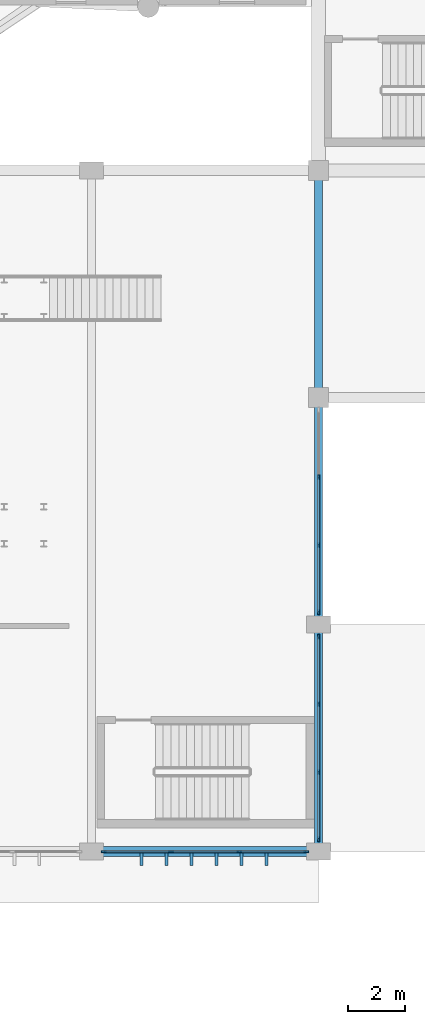
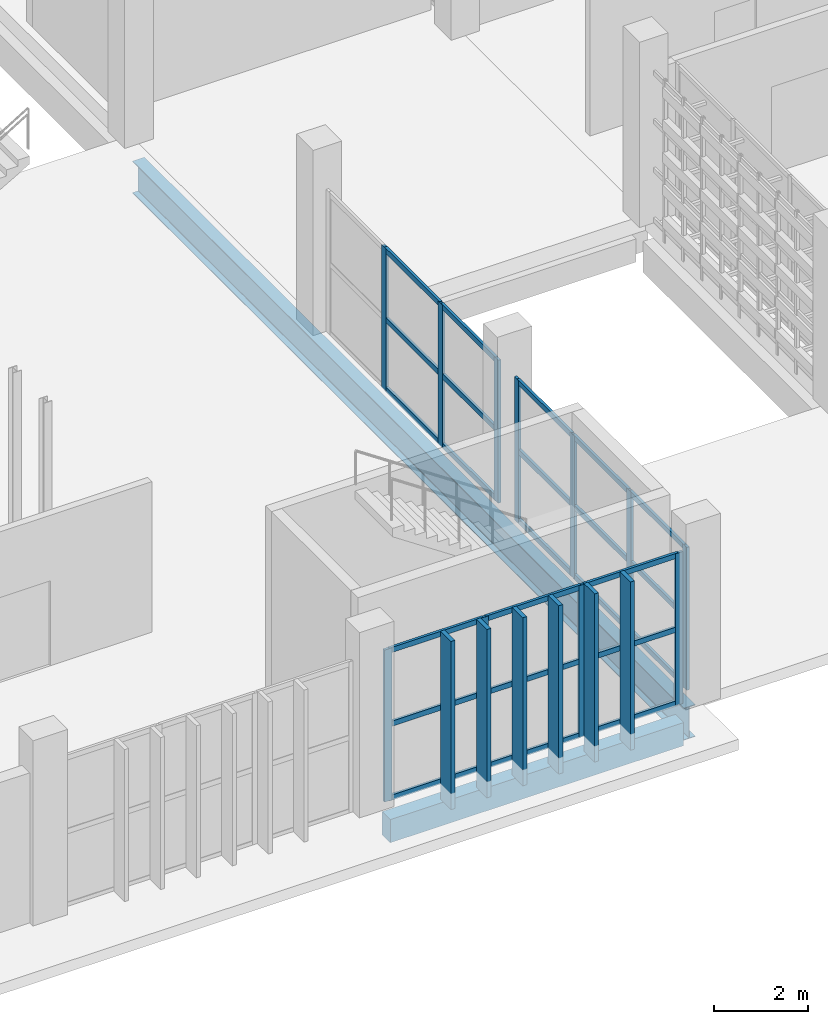
# One storey, part 24 of 117: 41 members, 2 beams, 3 elements without a shape of their own.
"""IFC4 building model written with IfcOpenShell, lengths in metres."""

from ifc_helpers import new_model, si_unit, direction, frame, origin, origin_2d, place, context, subcontext, project, spatial, rectangle, i_section, extrude, material, layer, layer_set, material_profile, profile_set, type_object, element, aggregate, save


model = new_model("IFC4")

# Units and contexts
model_context = context("Model", 3, precision=1e-05, world=origin(), true_north=direction((0.0, 1.0)))
body_context = subcontext(model_context, "Body", "Model", "MODEL_VIEW")
ifc_project = project(units=[si_unit("LENGTHUNIT", "METRE"), si_unit("AREAUNIT", "SQUARE_METRE"), si_unit("VOLUMEUNIT", "CUBIC_METRE"), si_unit("PLANEANGLEUNIT", "RADIAN"), si_unit("MASSUNIT", "GRAM", prefix="KILO")], contexts=[model_context])

# Site, building, storey
site_placement = place(None, origin())
site = spatial("IfcSite", under=ifc_project, at=site_placement, CompositionType="ELEMENT")
building_placement = place(site_placement, origin())
building = spatial("IfcBuilding", under=site, at=building_placement, Name="Jelvoka-Kovrelna Polytechnic", CompositionType="ELEMENT")
storey_placement = place(building_placement, origin())
storey = spatial("IfcBuildingStorey", under=building, at=storey_placement, Name="L01", CompositionType="ELEMENT", Elevation=0.0)

# Beam
ifc_material_1 = material(Name="Structural steel S355JR", Category="steel")
ifc_material_profile_1 = material_profile(ifc_material_1, i_section(OverallWidth=0.291748046875, OverallDepth=0.8349609375, WebThickness=0.013916015625, FlangeThickness=0.018798828125, FilletRadius=0.017822265625, at=origin_2d()), Name="838x292x176 UB")
ifc_profile_set_1 = profile_set([ifc_material_profile_1], Name="Structural steel S355JR")
beam_type_1 = type_object("IfcBeamType", Name="Girder_Steel_UB838", PredefinedType="BEAM", material=ifc_profile_set_1)
beam_1_placement = place(storey_placement, frame((48.0, 0.280029296875, -0.827392578125), z_axis=(0.0, 1.0, 0.0), x_axis=(-1.0, 0.0, 0.0)))
element("IfcBeam", 1, at=beam_1_placement, inside=storey, type_object=beam_type_1, Name="L01 beam 0121", PredefinedType="BEAM", context=body_context, shape_type="SweptSolid", body=[
    extrude(i_section(OverallWidth=0.291748046875, OverallDepth=0.8349609375, WebThickness=0.013916015625, FlangeThickness=0.018798828125, FilletRadius=0.017822265625, at=origin_2d()), origin(), (0.0, 0.0, 1.0), 23.389892578125),
])

# Members
ifc_material_2 = material(Name="Precast concrete C40/50", Category="concrete")
ifc_material_profile_2 = material_profile(ifc_material_2, rectangle(XDim=0.10009765625, YDim=0.449951171875, at=origin_2d()), Name="PC 100x450")
ifc_profile_set_2 = profile_set([ifc_material_profile_2], Name="Precast concrete C40/50")
member_type_1 = type_object("IfcMemberType", Name="Louvre_Fin_100x450", PredefinedType="USERDEFINED", material=ifc_profile_set_2)
for number, where, z_axis, x_axis, name in (
    (2, (41.760009765625, -0.264892578125, -0.419921875), (0.0, 0.0, 1.0), (1.0, 0.0, 0.0), "L01 V4 south solar louvre fin 2368"),
    (3, (42.639892578125, -0.264892578125, -0.419921875), (0.0, 0.0, 1.0), (1.0, 0.0, 0.0), "L01 V4 south solar louvre fin 2369"),
    (4, (43.52001953125, -0.264892578125, -0.419921875), (0.0, 0.0, 1.0), (1.0, 0.0, 0.0), "L01 V4 south solar louvre fin 2370"),
    (5, (44.39990234375, -0.264892578125, -0.419921875), (0.0, 0.0, 1.0), (1.0, 0.0, 0.0), "L01 V4 south solar louvre fin 2371"),
    (6, (45.280029296875, -0.264892578125, -0.419921875), (0.0, 0.0, 1.0), (1.0, 0.0, 0.0), "L01 V4 south solar louvre fin 2372"),
    (7, (46.159912109375, -0.264892578125, -0.419921875), (0.0, 0.0, 1.0), (1.0, 0.0, 0.0), "L01 V4 south solar louvre fin 2373"),
):
    element("IfcMember", number, at=place(storey_placement, frame(where, z_axis=z_axis, x_axis=x_axis)), inside=storey, type_object=member_type_1, Name=name, ObjectType="SUNSHADE", PredefinedType="USERDEFINED", context=body_context, shape_type="SweptSolid", body=[
        extrude(rectangle(XDim=0.10009765625, YDim=0.449951171875, at=origin_2d()), origin(), (0.0, 0.0, 1.0), 4.35986328125),
    ])

# Curtain wall, members
ifc_material_3 = material(Name="Anodised aluminium 6063-T6", Category="aluminium")
ifc_layer = layer(ifc_material_3, 0.179931640625)
ifc_layer_set = layer_set([ifc_layer], Name="Anodised aluminium 6063-T6")
curtain_wall_type = type_object("IfcCurtainWallType", Name="CW_Pavilion", PredefinedType="NOTDEFINED", material=ifc_layer_set)
curtain_wall_1_placement = place(storey_placement, origin())
curtain_wall_1 = element("IfcCurtainWall", 8, at=curtain_wall_1_placement, inside=storey, type_object=curtain_wall_type, Name="L01 glazed curtain wall 267", PredefinedType="NOTDEFINED")
ifc_material_4 = material(Name="Anodised aluminium 6063-T6", Category="aluminium")
ifc_material_profile_3 = material_profile(ifc_material_4, rectangle(XDim=0.06494140625, YDim=0.179931640625, at=origin_2d()), Name="ALU 65x180")
ifc_profile_set_3 = profile_set([ifc_material_profile_3], Name="Anodised aluminium 6063-T6")
member_type_2 = type_object("IfcMemberType", Name="Mullion_M-05", PredefinedType="MULLION", material=ifc_profile_set_3)
member_1_placement = place(storey_placement, frame((47.5673828125, 0.0, -0.02490234375), z_axis=(0.0, 0.0, 1.0), x_axis=(0.0, -1.0, 0.0)))
member_1 = element("IfcMember", 9, at=member_1_placement, type_object=member_type_2, Name="CW-05 mullion 1", PredefinedType="MULLION", context=body_context, shape_type="SweptSolid", body=[
    extrude(rectangle(XDim=0.06494140625, YDim=0.179931640625, at=origin_2d()), origin(), (0.0, 0.0, 1.0), 3.93994140625),
])
member_2_placement = place(storey_placement, frame((45.199951171875, 0.0, -0.02490234375), z_axis=(0.0, 0.0, 1.0), x_axis=(0.0, -1.0, 0.0)))
member_2 = element("IfcMember", 10, at=member_2_placement, type_object=member_type_2, Name="CW-05 mullion 2", PredefinedType="MULLION", context=body_context, shape_type="SweptSolid", body=[
    extrude(rectangle(XDim=0.06494140625, YDim=0.179931640625, at=origin_2d()), origin(), (0.0, 0.0, 1.0), 3.93994140625),
])
member_3_placement = place(storey_placement, frame((42.800048828125, 0.0, -0.02490234375), z_axis=(0.0, 0.0, 1.0), x_axis=(0.0, -1.0, 0.0)))
member_3 = element("IfcMember", 11, at=member_3_placement, type_object=member_type_2, Name="CW-05 mullion 3", PredefinedType="MULLION", context=body_context, shape_type="SweptSolid", body=[
    extrude(rectangle(XDim=0.06494140625, YDim=0.179931640625, at=origin_2d()), origin(), (0.0, 0.0, 1.0), 3.93994140625),
])
member_4_placement = place(storey_placement, frame((40.4326171875, 0.0, -0.02490234375), z_axis=(0.0, 0.0, 1.0), x_axis=(0.0, -1.0, 0.0)))
member_4 = element("IfcMember", 12, at=member_4_placement, type_object=member_type_2, Name="CW-05 mullion 4", PredefinedType="MULLION", context=body_context, shape_type="SweptSolid", body=[
    extrude(rectangle(XDim=0.06494140625, YDim=0.179931640625, at=origin_2d()), origin(), (0.0, 0.0, 1.0), 3.93994140625),
])

curtain_wall_2_placement = place(storey_placement, origin())
curtain_wall_2 = element("IfcCurtainWall", 13, at=curtain_wall_2_placement, inside=storey, type_object=curtain_wall_type, Name="L01 glazed curtain wall 268", PredefinedType="NOTDEFINED")
member_5_placement = place(storey_placement, frame((48.0, 7.5673828125, -0.02490234375), z_axis=(0.0, 0.0, 1.0), x_axis=(1.0, 0.0, 0.0)))
member_5 = element("IfcMember", 14, at=member_5_placement, type_object=member_type_2, Name="CW-05 mullion 1", PredefinedType="MULLION", context=body_context, shape_type="SweptSolid", body=[
    extrude(rectangle(XDim=0.06494140625, YDim=0.179931640625, at=origin_2d()), origin(), (0.0, 0.0, 1.0), 3.705078125),
])
member_6_placement = place(storey_placement, frame((48.0, 5.199951171875, -0.02490234375), z_axis=(0.0, 0.0, 1.0), x_axis=(1.0, 0.0, 0.0)))
member_6 = element("IfcMember", 15, at=member_6_placement, type_object=member_type_2, Name="CW-05 mullion 2", PredefinedType="MULLION", context=body_context, shape_type="SweptSolid", body=[
    extrude(rectangle(XDim=0.06494140625, YDim=0.179931640625, at=origin_2d()), origin(), (0.0, 0.0, 1.0), 3.705078125),
])
member_7_placement = place(storey_placement, frame((48.0, 2.800048828125, -0.02490234375), z_axis=(0.0, 0.0, 1.0), x_axis=(1.0, 0.0, 0.0)))
member_7 = element("IfcMember", 16, at=member_7_placement, type_object=member_type_2, Name="CW-05 mullion 3", PredefinedType="MULLION", context=body_context, shape_type="SweptSolid", body=[
    extrude(rectangle(XDim=0.06494140625, YDim=0.179931640625, at=origin_2d()), origin(), (0.0, 0.0, 1.0), 3.705078125),
])
member_8_placement = place(storey_placement, frame((48.0, 0.4326171875, -0.02490234375), z_axis=(0.0, 0.0, 1.0), x_axis=(1.0, 0.0, 0.0)))
member_8 = element("IfcMember", 17, at=member_8_placement, type_object=member_type_2, Name="CW-05 mullion 4", PredefinedType="MULLION", context=body_context, shape_type="SweptSolid", body=[
    extrude(rectangle(XDim=0.06494140625, YDim=0.179931640625, at=origin_2d()), origin(), (0.0, 0.0, 1.0), 3.705078125),
])

curtain_wall_3_placement = place(storey_placement, origin())
curtain_wall_3 = element("IfcCurtainWall", 18, at=curtain_wall_3_placement, inside=storey, type_object=curtain_wall_type, Name="L01 glazed curtain wall 269", PredefinedType="NOTDEFINED")
member_9_placement = place(storey_placement, frame((48.0, 13.199951171875, -0.02490234375), z_axis=(0.0, 0.0, 1.0), x_axis=(1.0, 0.0, 0.0)))
member_9 = element("IfcMember", 19, at=member_9_placement, type_object=member_type_2, Name="CW-05 mullion 2", PredefinedType="MULLION", context=body_context, shape_type="SweptSolid", body=[
    extrude(rectangle(XDim=0.06494140625, YDim=0.179931640625, at=origin_2d()), origin(), (0.0, 0.0, 1.0), 3.705078125),
])
member_10_placement = place(storey_placement, frame((48.0, 10.800048828125, -0.02490234375), z_axis=(0.0, 0.0, 1.0), x_axis=(1.0, 0.0, 0.0)))
member_10 = element("IfcMember", 20, at=member_10_placement, type_object=member_type_2, Name="CW-05 mullion 3", PredefinedType="MULLION", context=body_context, shape_type="SweptSolid", body=[
    extrude(rectangle(XDim=0.06494140625, YDim=0.179931640625, at=origin_2d()), origin(), (0.0, 0.0, 1.0), 3.705078125),
])
member_11_placement = place(storey_placement, frame((48.0, 8.4326171875, -0.02490234375), z_axis=(0.0, 0.0, 1.0), x_axis=(1.0, 0.0, 0.0)))
member_11 = element("IfcMember", 21, at=member_11_placement, type_object=member_type_2, Name="CW-05 mullion 4", PredefinedType="MULLION", context=body_context, shape_type="SweptSolid", body=[
    extrude(rectangle(XDim=0.06494140625, YDim=0.179931640625, at=origin_2d()), origin(), (0.0, 0.0, 1.0), 3.705078125),
])

# Beam
ifc_material_5 = material(Name="Concrete C40/50", Category="concrete")
ifc_material_profile_4 = material_profile(ifc_material_5, rectangle(XDim=0.35009765625, YDim=0.60009765625, at=origin_2d()), Name="RC 350x600")
ifc_profile_set_4 = profile_set([ifc_material_profile_4], Name="Concrete C40/50")
beam_type_2 = type_object("IfcBeamType", Name="Spandrel_RC_350x600", PredefinedType="SPANDREL", material=ifc_profile_set_4)
beam_2_placement = place(storey_placement, frame((40.405029296875, 0.0, -0.7099609375), z_axis=(1.0, 0.0, 0.0), x_axis=(0.0, 1.0, 0.0)))
element("IfcBeam", 22, at=beam_2_placement, inside=storey, type_object=beam_type_2, Name="L01 beam 0128", PredefinedType="SPANDREL", context=body_context, shape_type="SweptSolid", body=[
    extrude(rectangle(XDim=0.35009765625, YDim=0.60009765625, at=origin_2d()), origin(), (0.0, 0.0, 1.0), 7.18994140625),
])

# Member
ifc_material_6 = material(Name="Anodised aluminium 6063-T6", Category="aluminium")
ifc_material_profile_5 = material_profile(ifc_material_6, rectangle(XDim=0.06494140625, YDim=0.135009765625, at=origin_2d()), Name="ALU 65x135")
ifc_profile_set_5 = profile_set([ifc_material_profile_5], Name="Anodised aluminium 6063-T6")
member_type_3 = type_object("IfcMemberType", Name="Transom_T-05", PredefinedType="USERDEFINED", material=ifc_profile_set_5)
member_12_placement = place(storey_placement, frame((47.534912109375, 0.0, 0.032470703125), z_axis=(-1.0, 0.0, 0.0), x_axis=(0.0, -1.0, 0.0)))
member_12 = element("IfcMember", 23, at=member_12_placement, type_object=member_type_3, Name="CW-05 transom 1.1", ObjectType="TRANSOM", PredefinedType="USERDEFINED", context=body_context, shape_type="SweptSolid", body=[
    extrude(rectangle(XDim=0.06494140625, YDim=0.135009765625, at=origin_2d()), origin(), (0.0, 0.0, 1.0), 2.302490234375),
])

member_13_placement = place(storey_placement, frame((47.534912109375, 0.0, 1.945068359375), z_axis=(-1.0, 0.0, 0.0), x_axis=(0.0, -1.0, 0.0)))
member_13 = element("IfcMember", 24, at=member_13_placement, type_object=member_type_3, Name="CW-05 transom 1.2", ObjectType="TRANSOM", PredefinedType="USERDEFINED", context=body_context, shape_type="SweptSolid", body=[
    extrude(rectangle(XDim=0.06494140625, YDim=0.135009765625, at=origin_2d()), origin(), (0.0, 0.0, 1.0), 2.302490234375),
])

member_14_placement = place(storey_placement, frame((47.534912109375, 0.0, 3.857421875), z_axis=(-1.0, 0.0, 0.0), x_axis=(0.0, -1.0, 0.0)))
member_14 = element("IfcMember", 25, at=member_14_placement, type_object=member_type_3, Name="CW-05 transom 1.3", ObjectType="TRANSOM", PredefinedType="USERDEFINED", context=body_context, shape_type="SweptSolid", body=[
    extrude(rectangle(XDim=0.06494140625, YDim=0.135009765625, at=origin_2d()), origin(), (0.0, 0.0, 1.0), 2.302490234375),
])

member_15_placement = place(storey_placement, frame((45.16748046875, 0.0, 0.032470703125), z_axis=(-1.0, 0.0, 0.0), x_axis=(0.0, -1.0, 0.0)))
member_15 = element("IfcMember", 26, at=member_15_placement, type_object=member_type_3, Name="CW-05 transom 2.1", ObjectType="TRANSOM", PredefinedType="USERDEFINED", context=body_context, shape_type="SweptSolid", body=[
    extrude(rectangle(XDim=0.06494140625, YDim=0.135009765625, at=origin_2d()), origin(), (0.0, 0.0, 1.0), 2.3349609375),
])

member_16_placement = place(storey_placement, frame((45.16748046875, 0.0, 1.945068359375), z_axis=(-1.0, 0.0, 0.0), x_axis=(0.0, -1.0, 0.0)))
member_16 = element("IfcMember", 27, at=member_16_placement, type_object=member_type_3, Name="CW-05 transom 2.2", ObjectType="TRANSOM", PredefinedType="USERDEFINED", context=body_context, shape_type="SweptSolid", body=[
    extrude(rectangle(XDim=0.06494140625, YDim=0.135009765625, at=origin_2d()), origin(), (0.0, 0.0, 1.0), 2.3349609375),
])

member_17_placement = place(storey_placement, frame((45.16748046875, 0.0, 3.857421875), z_axis=(-1.0, 0.0, 0.0), x_axis=(0.0, -1.0, 0.0)))
member_17 = element("IfcMember", 28, at=member_17_placement, type_object=member_type_3, Name="CW-05 transom 2.3", ObjectType="TRANSOM", PredefinedType="USERDEFINED", context=body_context, shape_type="SweptSolid", body=[
    extrude(rectangle(XDim=0.06494140625, YDim=0.135009765625, at=origin_2d()), origin(), (0.0, 0.0, 1.0), 2.3349609375),
])

member_18_placement = place(storey_placement, frame((42.767578125, 0.0, 0.032470703125), z_axis=(-1.0, 0.0, 0.0), x_axis=(0.0, -1.0, 0.0)))
member_18 = element("IfcMember", 29, at=member_18_placement, type_object=member_type_3, Name="CW-05 transom 3.1", ObjectType="TRANSOM", PredefinedType="USERDEFINED", context=body_context, shape_type="SweptSolid", body=[
    extrude(rectangle(XDim=0.06494140625, YDim=0.135009765625, at=origin_2d()), origin(), (0.0, 0.0, 1.0), 2.302490234375),
])

member_19_placement = place(storey_placement, frame((42.767578125, 0.0, 1.945068359375), z_axis=(-1.0, 0.0, 0.0), x_axis=(0.0, -1.0, 0.0)))
member_19 = element("IfcMember", 30, at=member_19_placement, type_object=member_type_3, Name="CW-05 transom 3.2", ObjectType="TRANSOM", PredefinedType="USERDEFINED", context=body_context, shape_type="SweptSolid", body=[
    extrude(rectangle(XDim=0.06494140625, YDim=0.135009765625, at=origin_2d()), origin(), (0.0, 0.0, 1.0), 2.302490234375),
])

member_20_placement = place(storey_placement, frame((42.767578125, 0.0, 3.857421875), z_axis=(-1.0, 0.0, 0.0), x_axis=(0.0, -1.0, 0.0)))
member_20 = element("IfcMember", 31, at=member_20_placement, type_object=member_type_3, Name="CW-05 transom 3.3", ObjectType="TRANSOM", PredefinedType="USERDEFINED", context=body_context, shape_type="SweptSolid", body=[
    extrude(rectangle(XDim=0.06494140625, YDim=0.135009765625, at=origin_2d()), origin(), (0.0, 0.0, 1.0), 2.302490234375),
])

aggregate(curtain_wall_1, [member_1, member_2, member_3, member_4, member_12, member_13, member_14, member_15, member_16, member_17, member_18, member_19, member_20])

member_21_placement = place(storey_placement, frame((48.0, 7.534912109375, 0.032470703125), z_axis=(0.0, -1.0, 0.0), x_axis=(1.0, 0.0, 0.0)))
member_21 = element("IfcMember", 32, at=member_21_placement, type_object=member_type_3, Name="CW-05 transom 1.1", ObjectType="TRANSOM", PredefinedType="USERDEFINED", context=body_context, shape_type="SweptSolid", body=[
    extrude(rectangle(XDim=0.06494140625, YDim=0.135009765625, at=origin_2d()), origin(), (0.0, 0.0, 1.0), 2.302490234375),
])

member_22_placement = place(storey_placement, frame((48.0, 7.534912109375, 1.82763671875), z_axis=(0.0, -1.0, 0.0), x_axis=(1.0, 0.0, 0.0)))
member_22 = element("IfcMember", 33, at=member_22_placement, type_object=member_type_3, Name="CW-05 transom 1.2", ObjectType="TRANSOM", PredefinedType="USERDEFINED", context=body_context, shape_type="SweptSolid", body=[
    extrude(rectangle(XDim=0.06494140625, YDim=0.135009765625, at=origin_2d()), origin(), (0.0, 0.0, 1.0), 2.302490234375),
])

member_23_placement = place(storey_placement, frame((48.0, 7.534912109375, 3.62255859375), z_axis=(0.0, -1.0, 0.0), x_axis=(1.0, 0.0, 0.0)))
member_23 = element("IfcMember", 34, at=member_23_placement, type_object=member_type_3, Name="CW-05 transom 1.3", ObjectType="TRANSOM", PredefinedType="USERDEFINED", context=body_context, shape_type="SweptSolid", body=[
    extrude(rectangle(XDim=0.06494140625, YDim=0.135009765625, at=origin_2d()), origin(), (0.0, 0.0, 1.0), 2.302490234375),
])

member_24_placement = place(storey_placement, frame((48.0, 5.16748046875, 0.032470703125), z_axis=(0.0, -1.0, 0.0), x_axis=(1.0, 0.0, 0.0)))
member_24 = element("IfcMember", 35, at=member_24_placement, type_object=member_type_3, Name="CW-05 transom 2.1", ObjectType="TRANSOM", PredefinedType="USERDEFINED", context=body_context, shape_type="SweptSolid", body=[
    extrude(rectangle(XDim=0.06494140625, YDim=0.135009765625, at=origin_2d()), origin(), (0.0, 0.0, 1.0), 2.3349609375),
])

member_25_placement = place(storey_placement, frame((48.0, 5.16748046875, 1.82763671875), z_axis=(0.0, -1.0, 0.0), x_axis=(1.0, 0.0, 0.0)))
member_25 = element("IfcMember", 36, at=member_25_placement, type_object=member_type_3, Name="CW-05 transom 2.2", ObjectType="TRANSOM", PredefinedType="USERDEFINED", context=body_context, shape_type="SweptSolid", body=[
    extrude(rectangle(XDim=0.06494140625, YDim=0.135009765625, at=origin_2d()), origin(), (0.0, 0.0, 1.0), 2.3349609375),
])

member_26_placement = place(storey_placement, frame((48.0, 5.16748046875, 3.62255859375), z_axis=(0.0, -1.0, 0.0), x_axis=(1.0, 0.0, 0.0)))
member_26 = element("IfcMember", 37, at=member_26_placement, type_object=member_type_3, Name="CW-05 transom 2.3", ObjectType="TRANSOM", PredefinedType="USERDEFINED", context=body_context, shape_type="SweptSolid", body=[
    extrude(rectangle(XDim=0.06494140625, YDim=0.135009765625, at=origin_2d()), origin(), (0.0, 0.0, 1.0), 2.3349609375),
])

member_27_placement = place(storey_placement, frame((48.0, 2.767578125, 0.032470703125), z_axis=(0.0, -1.0, 0.0), x_axis=(1.0, 0.0, 0.0)))
member_27 = element("IfcMember", 38, at=member_27_placement, type_object=member_type_3, Name="CW-05 transom 3.1", ObjectType="TRANSOM", PredefinedType="USERDEFINED", context=body_context, shape_type="SweptSolid", body=[
    extrude(rectangle(XDim=0.06494140625, YDim=0.135009765625, at=origin_2d()), origin(), (0.0, 0.0, 1.0), 2.302490234375),
])

member_28_placement = place(storey_placement, frame((48.0, 2.767578125, 1.82763671875), z_axis=(0.0, -1.0, 0.0), x_axis=(1.0, 0.0, 0.0)))
member_28 = element("IfcMember", 39, at=member_28_placement, type_object=member_type_3, Name="CW-05 transom 3.2", ObjectType="TRANSOM", PredefinedType="USERDEFINED", context=body_context, shape_type="SweptSolid", body=[
    extrude(rectangle(XDim=0.06494140625, YDim=0.135009765625, at=origin_2d()), origin(), (0.0, 0.0, 1.0), 2.302490234375),
])

member_29_placement = place(storey_placement, frame((48.0, 2.767578125, 3.62255859375), z_axis=(0.0, -1.0, 0.0), x_axis=(1.0, 0.0, 0.0)))
member_29 = element("IfcMember", 40, at=member_29_placement, type_object=member_type_3, Name="CW-05 transom 3.3", ObjectType="TRANSOM", PredefinedType="USERDEFINED", context=body_context, shape_type="SweptSolid", body=[
    extrude(rectangle(XDim=0.06494140625, YDim=0.135009765625, at=origin_2d()), origin(), (0.0, 0.0, 1.0), 2.302490234375),
])

aggregate(curtain_wall_2, [member_5, member_6, member_7, member_8, member_21, member_22, member_23, member_24, member_25, member_26, member_27, member_28, member_29])

member_30_placement = place(storey_placement, frame((48.0, 13.16748046875, 0.032470703125), z_axis=(0.0, -1.0, 0.0), x_axis=(1.0, 0.0, 0.0)))
member_30 = element("IfcMember", 41, at=member_30_placement, type_object=member_type_3, Name="CW-05 transom 2.1", ObjectType="TRANSOM", PredefinedType="USERDEFINED", context=body_context, shape_type="SweptSolid", body=[
    extrude(rectangle(XDim=0.06494140625, YDim=0.135009765625, at=origin_2d()), origin(), (0.0, 0.0, 1.0), 2.3349609375),
])

member_31_placement = place(storey_placement, frame((48.0, 13.16748046875, 1.82763671875), z_axis=(0.0, -1.0, 0.0), x_axis=(1.0, 0.0, 0.0)))
member_31 = element("IfcMember", 42, at=member_31_placement, type_object=member_type_3, Name="CW-05 transom 2.2", ObjectType="TRANSOM", PredefinedType="USERDEFINED", context=body_context, shape_type="SweptSolid", body=[
    extrude(rectangle(XDim=0.06494140625, YDim=0.135009765625, at=origin_2d()), origin(), (0.0, 0.0, 1.0), 2.3349609375),
])

member_32_placement = place(storey_placement, frame((48.0, 13.16748046875, 3.62255859375), z_axis=(0.0, -1.0, 0.0), x_axis=(1.0, 0.0, 0.0)))
member_32 = element("IfcMember", 43, at=member_32_placement, type_object=member_type_3, Name="CW-05 transom 2.3", ObjectType="TRANSOM", PredefinedType="USERDEFINED", context=body_context, shape_type="SweptSolid", body=[
    extrude(rectangle(XDim=0.06494140625, YDim=0.135009765625, at=origin_2d()), origin(), (0.0, 0.0, 1.0), 2.3349609375),
])

member_33_placement = place(storey_placement, frame((48.0, 10.767578125, 0.032470703125), z_axis=(0.0, -1.0, 0.0), x_axis=(1.0, 0.0, 0.0)))
member_33 = element("IfcMember", 44, at=member_33_placement, type_object=member_type_3, Name="CW-05 transom 3.1", ObjectType="TRANSOM", PredefinedType="USERDEFINED", context=body_context, shape_type="SweptSolid", body=[
    extrude(rectangle(XDim=0.06494140625, YDim=0.135009765625, at=origin_2d()), origin(), (0.0, 0.0, 1.0), 2.302490234375),
])

member_34_placement = place(storey_placement, frame((48.0, 10.767578125, 1.82763671875), z_axis=(0.0, -1.0, 0.0), x_axis=(1.0, 0.0, 0.0)))
member_34 = element("IfcMember", 45, at=member_34_placement, type_object=member_type_3, Name="CW-05 transom 3.2", ObjectType="TRANSOM", PredefinedType="USERDEFINED", context=body_context, shape_type="SweptSolid", body=[
    extrude(rectangle(XDim=0.06494140625, YDim=0.135009765625, at=origin_2d()), origin(), (0.0, 0.0, 1.0), 2.302490234375),
])

member_35_placement = place(storey_placement, frame((48.0, 10.767578125, 3.62255859375), z_axis=(0.0, -1.0, 0.0), x_axis=(1.0, 0.0, 0.0)))
member_35 = element("IfcMember", 46, at=member_35_placement, type_object=member_type_3, Name="CW-05 transom 3.3", ObjectType="TRANSOM", PredefinedType="USERDEFINED", context=body_context, shape_type="SweptSolid", body=[
    extrude(rectangle(XDim=0.06494140625, YDim=0.135009765625, at=origin_2d()), origin(), (0.0, 0.0, 1.0), 2.302490234375),
])

aggregate(curtain_wall_3, [member_9, member_10, member_11, member_30, member_31, member_32, member_33, member_34, member_35])

save(model, "model.ifc")
